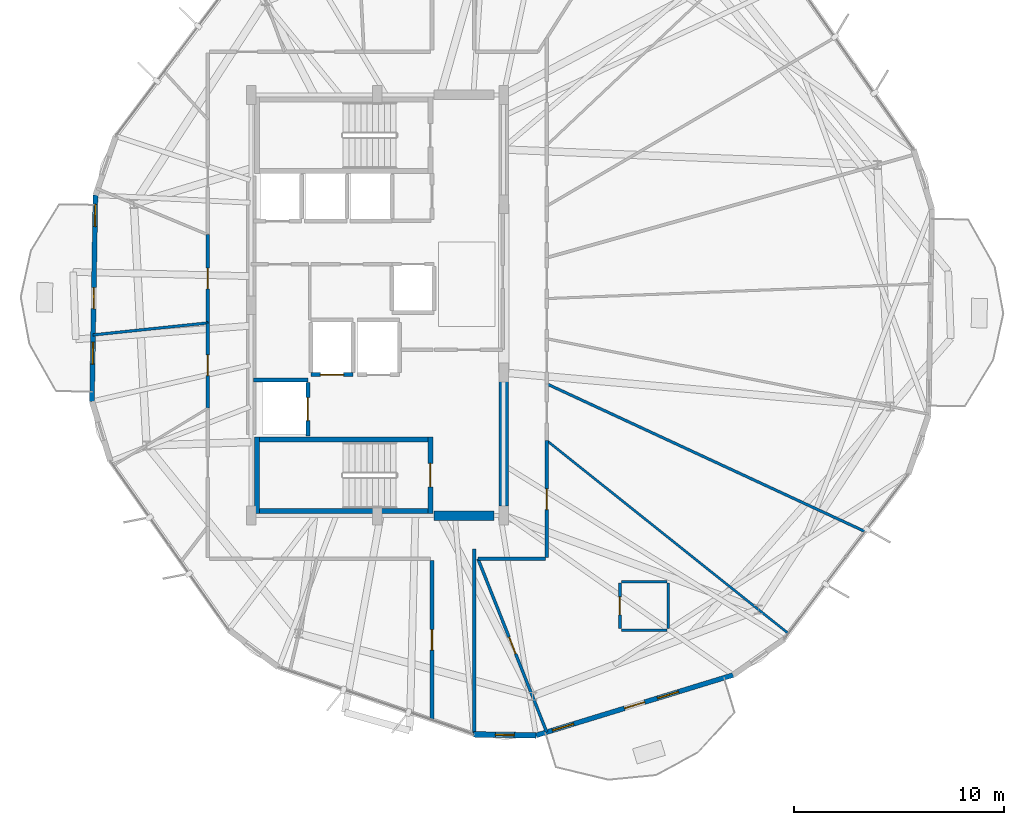
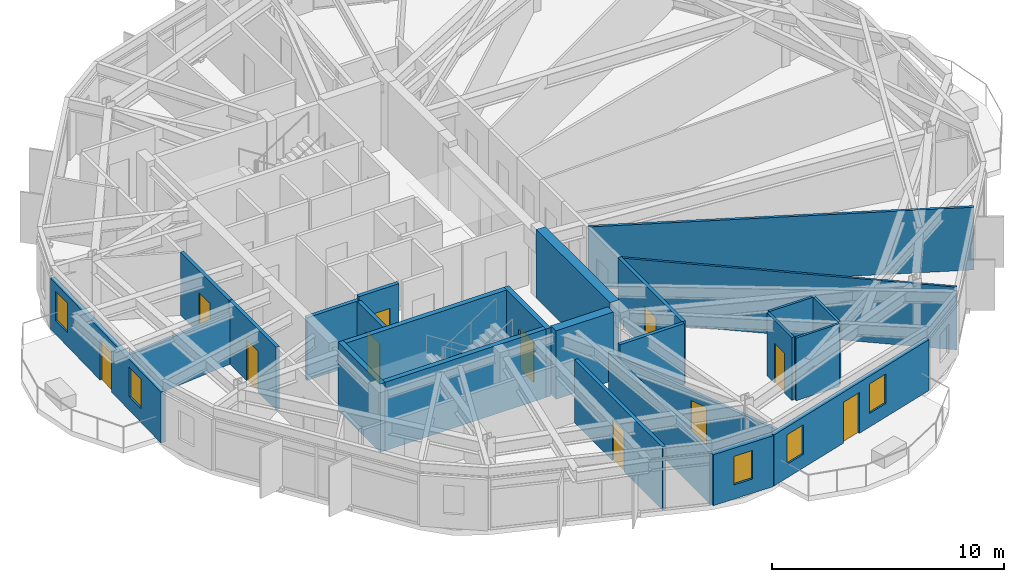
# One storey, part 23 of 29: 26 walls, 11 doors, 5 windows, 16 openings.
"""IFC4 building model written with IfcOpenShell, lengths in metres."""

from ifc_helpers import new_model, si_unit, direction, frame, frame_2d, origin, place, context, subcontext, project, spatial, rectangle, extrude, material, layer, layer_set, type_object, element, fill, save


model = new_model("IFC4")

# Units and contexts
model_context = context("Model", 3, precision=1e-05, world=origin(), true_north=direction((0.0, 1.0)))
body_context = subcontext(model_context, "Body", "Model", "MODEL_VIEW")
ifc_project = project(units=[si_unit("LENGTHUNIT", "METRE"), si_unit("AREAUNIT", "SQUARE_METRE"), si_unit("VOLUMEUNIT", "CUBIC_METRE"), si_unit("PLANEANGLEUNIT", "RADIAN"), si_unit("MASSUNIT", "GRAM", prefix="KILO")], contexts=[model_context])

# Site, building, storey
site_placement = place(None, origin())
site = spatial("IfcSite", under=ifc_project, at=site_placement, CompositionType="ELEMENT")
building_placement = place(site_placement, origin())
building = spatial("IfcBuilding", under=site, at=building_placement, Name="Soratama Intermodal Tower", CompositionType="ELEMENT")
storey_placement = place(building_placement, frame((0.0, 0.0, 226.60009765625)))
storey = spatial("IfcBuildingStorey", under=building, at=storey_placement, Name="L57", CompositionType="ELEMENT", Elevation=226.60009765625)

# Wall, openings, door, windows
ifc_material_1 = material(Name="Concrete f'c 42 MPa", Category="concrete")
ifc_layer_1 = layer(ifc_material_1, 0.22998046875)
ifc_layer_set_1 = layer_set([ifc_layer_1], Name="Concrete f'c 42 MPa")
wall_type_1 = type_object("IfcWallType", Name="EW-BAL-230", PredefinedType="SOLIDWALL", material=ifc_layer_set_1)
wall_1_placement = place(storey_placement, frame((25.207763671875, 30.231201171875, 0.0), z_axis=(0.0, 0.0, 1.0), x_axis=(-0.016744898116, -0.999859794365, 0.0)))
wall_1 = element("IfcWall", 1, at=wall_1_placement, inside=storey, type_object=wall_type_1, Name="L57 Terrace Wall F04", PredefinedType="SOLIDWALL", context=body_context, shape_type="SweptSolid", body=[
    extrude(rectangle(XDim=9.7978515625, YDim=0.22998046875, at=frame_2d((4.89892578125, 0.0))), origin(), (0.0, 0.0, 1.0), 2.678955078125),
])
opening_1_placement = place(wall_1_placement, frame((4.398681640625, 0.0, 0.0)))
opening_1 = element("IfcOpeningElement", 2, at=opening_1_placement, cuts=wall_1, Name="Opening ED-2", PredefinedType="OPENING", context=body_context, shape_type="SweptSolid", body=[
    extrude(rectangle(XDim=1.0, YDim=2.14990234375, at=frame_2d((0.5, 1.074951171875))), frame((0.0, 0.125, 0.0), z_axis=(0.0, -1.0, 0.0), x_axis=(1.0, 0.0, 0.0)), (0.0, 0.0, 1.0), 0.25),
])
opening_2_placement = place(wall_1_placement, frame((0.43994140625, 0.0, 0.719970703125)))
opening_2 = element("IfcOpeningElement", 3, at=opening_2_placement, cuts=wall_1, Name="Opening WN-5", PredefinedType="OPENING", context=body_context, shape_type="SweptSolid", body=[
    extrude(rectangle(XDim=1.050048828125, YDim=1.550048828125, at=frame_2d((0.52490234375, 0.77490234375))), frame((0.0, 0.125, 0.0), z_axis=(0.0, -1.0, 0.0), x_axis=(1.0, 0.0, 0.0)), (0.0, 0.0, 1.0), 0.25),
])
opening_3_placement = place(wall_1_placement, frame((6.984130859375, 0.0, 0.719970703125)))
opening_3 = element("IfcOpeningElement", 4, at=opening_3_placement, cuts=wall_1, Name="Opening WN-5", PredefinedType="OPENING", context=body_context, shape_type="SweptSolid", body=[
    extrude(rectangle(XDim=1.050048828125, YDim=1.550048828125, at=frame_2d((0.52490234375, 0.77490234375))), frame((0.0, 0.125, 0.0), z_axis=(0.0, -1.0, 0.0), x_axis=(1.0, 0.0, 0.0)), (0.0, 0.0, 1.0), 0.25),
])
ifc_material_2 = material(Name="Double-glazed aluminium door", Category="aluminium")
door_type_1 = type_object("IfcDoorType", Name="DR-BAL-1000", OperationType="NOTDEFINED", PredefinedType="DOOR", material=ifc_material_2)
door_1_placement = place(opening_1_placement, origin())
door_1 = element("IfcDoor", 5, at=door_1_placement, inside=storey, type_object=door_type_1, Name="L57 Balcony Door F04", OperationType="SINGLE_SWING_RIGHT", OverallHeight=2.14990234375, OverallWidth=1.0, PredefinedType="DOOR", context=body_context, shape_type="SweptSolid", body=[
    extrude(rectangle(XDim=1.0, YDim=2.14990234375, at=frame_2d((0.5, 1.074951171875))), frame((0.0, 0.02490234375, 0.0), z_axis=(0.0, -1.0, 0.0), x_axis=(1.0, 0.0, 0.0)), (0.0, 0.0, 1.0), 0.050048828125),
])
fill(opening_1, door_1)
ifc_material_3 = material(Name="Double-glazed aluminium window", Category="aluminium")
window_type_1 = type_object("IfcWindowType", Name="WN-FAC-1050", PartitioningType="SINGLE_PANEL", PredefinedType="WINDOW", material=ifc_material_3)
window_1_placement = place(opening_2_placement, origin())
window_1 = element("IfcWindow", 6, at=window_1_placement, inside=storey, type_object=window_type_1, Name="L57 Window A F04", OverallHeight=1.550048828125, OverallWidth=1.050048828125, PartitioningType="SINGLE_PANEL", PredefinedType="WINDOW", context=body_context, shape_type="SweptSolid", body=[
    extrude(rectangle(XDim=1.050048828125, YDim=1.550048828125, at=frame_2d((0.52490234375, 0.77490234375))), frame((0.0, 0.030029296875, 0.0), z_axis=(0.0, -1.0, 0.0), x_axis=(1.0, 0.0, 0.0)), (0.0, 0.0, 1.0), 0.06005859375),
])
fill(opening_2, window_1)
window_2_placement = place(opening_3_placement, origin())
window_2 = element("IfcWindow", 7, at=window_2_placement, inside=storey, type_object=window_type_1, Name="L57 Window B F04", OverallHeight=1.550048828125, OverallWidth=1.050048828125, PartitioningType="SINGLE_PANEL", PredefinedType="WINDOW", context=body_context, shape_type="SweptSolid", body=[
    extrude(rectangle(XDim=1.050048828125, YDim=1.550048828125, at=frame_2d((0.52490234375, 0.77490234375))), frame((0.0, 0.030029296875, 0.0), z_axis=(0.0, -1.0, 0.0), x_axis=(1.0, 0.0, 0.0)), (0.0, 0.0, 1.0), 0.06005859375),
])
fill(opening_3, window_2)

wall_2_placement = place(storey_placement, frame((46.14111328125, 4.56005859375, 0.0), z_axis=(0.0, 0.0, 1.0), x_axis=(0.956099551419, 0.293042058033, 0.0)))
wall_2 = element("IfcWall", 8, at=wall_2_placement, inside=storey, type_object=wall_type_1, Name="L57 Terrace Wall F07", PredefinedType="SOLIDWALL", context=body_context, shape_type="SweptSolid", body=[
    extrude(rectangle(XDim=9.797607421875, YDim=0.22998046875, at=frame_2d((4.89892578125, 0.0))), origin(), (0.0, 0.0, 1.0), 2.678955078125),
])
opening_4_placement = place(wall_2_placement, frame((4.398681640625, 0.0, 0.0)))
opening_4 = element("IfcOpeningElement", 9, at=opening_4_placement, cuts=wall_2, Name="Opening ED-2", PredefinedType="OPENING", context=body_context, shape_type="SweptSolid", body=[
    extrude(rectangle(XDim=1.0, YDim=2.14990234375, at=frame_2d((0.5, 1.074951171875))), frame((0.0, 0.125, 0.0), z_axis=(0.0, -1.0, 0.0), x_axis=(1.0, 0.0, 0.0)), (0.0, 0.0, 1.0), 0.25),
])
opening_5_placement = place(wall_2_placement, frame((0.818115234375, 0.0, 0.719970703125)))
opening_5 = element("IfcOpeningElement", 10, at=opening_5_placement, cuts=wall_2, Name="Opening WN-5", PredefinedType="OPENING", context=body_context, shape_type="SweptSolid", body=[
    extrude(rectangle(XDim=1.050048828125, YDim=1.550048828125, at=frame_2d((0.52490234375, 0.77490234375))), frame((0.0, 0.125, 0.0), z_axis=(0.0, -1.0, 0.0), x_axis=(1.0, 0.0, 0.0)), (0.0, 0.0, 1.0), 0.25),
])
opening_6_placement = place(wall_2_placement, frame((6.038818359375, 0.0, 0.719970703125)))
opening_6 = element("IfcOpeningElement", 11, at=opening_6_placement, cuts=wall_2, Name="Opening WN-5", PredefinedType="OPENING", context=body_context, shape_type="SweptSolid", body=[
    extrude(rectangle(XDim=1.050048828125, YDim=1.550048828125, at=frame_2d((0.52490234375, 0.77490234375))), frame((0.0, 0.125, 0.0), z_axis=(0.0, -1.0, 0.0), x_axis=(1.0, 0.0, 0.0)), (0.0, 0.0, 1.0), 0.25),
])
door_2_placement = place(opening_4_placement, origin())
door_2 = element("IfcDoor", 12, at=door_2_placement, inside=storey, type_object=door_type_1, Name="L57 Balcony Door F07", OperationType="SINGLE_SWING_LEFT", OverallHeight=2.14990234375, OverallWidth=1.0, PredefinedType="DOOR", context=body_context, shape_type="SweptSolid", body=[
    extrude(rectangle(XDim=1.0, YDim=2.14990234375, at=frame_2d((0.5, 1.074951171875))), frame((0.0, 0.02490234375, 0.0), z_axis=(0.0, -1.0, 0.0), x_axis=(1.0, 0.0, 0.0)), (0.0, 0.0, 1.0), 0.050048828125),
])
fill(opening_4, door_2)
window_3_placement = place(opening_5_placement, origin())
window_3 = element("IfcWindow", 13, at=window_3_placement, inside=storey, type_object=window_type_1, Name="L57 Window A F07", OverallHeight=1.550048828125, OverallWidth=1.050048828125, PartitioningType="SINGLE_PANEL", PredefinedType="WINDOW", context=body_context, shape_type="SweptSolid", body=[
    extrude(rectangle(XDim=1.050048828125, YDim=1.550048828125, at=frame_2d((0.52490234375, 0.77490234375))), frame((0.0, 0.030029296875, 0.0), z_axis=(0.0, -1.0, 0.0), x_axis=(1.0, 0.0, 0.0)), (0.0, 0.0, 1.0), 0.06005859375),
])
fill(opening_5, window_3)
window_4_placement = place(opening_6_placement, origin())
window_4 = element("IfcWindow", 14, at=window_4_placement, inside=storey, type_object=window_type_1, Name="L57 Window B F07", OverallHeight=1.550048828125, OverallWidth=1.050048828125, PartitioningType="SINGLE_PANEL", PredefinedType="WINDOW", context=body_context, shape_type="SweptSolid", body=[
    extrude(rectangle(XDim=1.050048828125, YDim=1.550048828125, at=frame_2d((0.52490234375, 0.77490234375))), frame((0.0, 0.030029296875, 0.0), z_axis=(0.0, -1.0, 0.0), x_axis=(1.0, 0.0, 0.0)), (0.0, 0.0, 1.0), 0.06005859375),
])
fill(opening_6, window_4)

# Wall, opening, window
ifc_material_4 = material(Name="Concrete f'c 42 MPa", Category="concrete")
ifc_layer_2 = layer(ifc_material_4, 0.27001953125)
ifc_layer_set_2 = layer_set([ifc_layer_2], Name="Concrete f'c 42 MPa")
wall_type_2 = type_object("IfcWallType", Name="EW-CRN-270", PredefinedType="SOLIDWALL", material=ifc_layer_set_2)
wall_3_placement = place(storey_placement, frame((43.1748046875, 4.609619140625, 0.0), z_axis=(0.0, 0.0, 1.0), x_axis=(0.999860453609, -0.016705487414, 0.0)))
wall_3 = element("IfcWall", 15, at=wall_3_placement, inside=storey, type_object=wall_type_2, Name="L57 Corner Closure Wall 06", PredefinedType="SOLIDWALL", context=body_context, shape_type="SweptSolid", body=[
    extrude(rectangle(XDim=2.966796875, YDim=0.27001953125, at=frame_2d((1.4833984375, 0.0))), origin(), (0.0, 0.0, 1.0), 2.678955078125),
])
opening_7_placement = place(wall_3_placement, frame((1.033203125, 0.0, 0.75)))
opening_7 = element("IfcOpeningElement", 16, at=opening_7_placement, cuts=wall_3, Name="Opening WN-6", PredefinedType="OPENING", context=body_context, shape_type="SweptSolid", body=[
    extrude(rectangle(XDim=0.89990234375, YDim=1.5, at=frame_2d((0.449951171875, 0.75))), frame((0.0, 0.14501953125, 0.0), z_axis=(0.0, -1.0, 0.0), x_axis=(1.0, 0.0, 0.0)), (0.0, 0.0, 1.0), 0.2900390625),
])
ifc_material_5 = material(Name="Double-glazed aluminium window", Category="aluminium")
window_type_2 = type_object("IfcWindowType", Name="WN-FAC-900", PartitioningType="SINGLE_PANEL", PredefinedType="WINDOW", material=ifc_material_5)
window_5_placement = place(opening_7_placement, origin())
window_5 = element("IfcWindow", 17, at=window_5_placement, inside=storey, type_object=window_type_2, Name="L57 Corner Window 06", OverallHeight=1.5, OverallWidth=0.89990234375, PartitioningType="SINGLE_PANEL", PredefinedType="WINDOW", context=body_context, shape_type="SweptSolid", body=[
    extrude(rectangle(XDim=0.89990234375, YDim=1.5, at=frame_2d((0.449951171875, 0.75))), frame((0.0, 0.030029296875, 0.0), z_axis=(0.0, -1.0, 0.0), x_axis=(1.0, 0.0, 0.0)), (0.0, 0.0, 1.0), 0.06005859375),
])
fill(opening_7, window_5)

# Wall, opening, door
ifc_material_6 = material(Name="Fire-rated gypsum stud partition", Category="concrete")
ifc_layer_3 = layer(ifc_material_6, 0.169921875)
ifc_layer_set_3 = layer_set([ifc_layer_3], Name="Fire-rated gypsum stud partition")
wall_type_3 = type_object("IfcWallType", Name="IW-PART-R170", PredefinedType="PARTITIONING", material=ifc_layer_set_3)
wall_4_placement = place(storey_placement, frame((41.199951171875, 5.2880859375, 0.0), z_axis=(0.0, 0.0, 1.0), x_axis=(0.0, 1.0, 0.0)))
wall_4 = element("IfcWall", 18, at=wall_4_placement, inside=storey, type_object=wall_type_3, Name="L57 Partition W-L57-TP011", PredefinedType="PARTITIONING", context=body_context, shape_type="SweptSolid", body=[
    extrude(rectangle(XDim=7.591796875, YDim=0.169921875, at=frame_2d((3.7958984375, 0.0))), origin(), (0.0, 0.0, 1.0), 3.2998046875),
])
opening_8_placement = place(wall_4_placement, frame((3.321044921875, 0.0, 0.0)))
opening_8 = element("IfcOpeningElement", 19, at=opening_8_placement, cuts=wall_4, Name="Opening ID-5", PredefinedType="OPENING", context=body_context, shape_type="SweptSolid", body=[
    extrude(rectangle(XDim=0.97998046875, YDim=2.14990234375, at=frame_2d((0.489990234375, 1.074951171875))), frame((0.0, 0.094970703125, 0.0), z_axis=(0.0, -1.0, 0.0), x_axis=(1.0, 0.0, 0.0)), (0.0, 0.0, 1.0), 0.18994140625),
])
ifc_material_7 = material(Name="Solid hardwood acoustic door", Category="wood")
door_type_2 = type_object("IfcDoorType", Name="DR-OFF-980", OperationType="NOTDEFINED", PredefinedType="DOOR", material=ifc_material_7)
door_3_placement = place(opening_8_placement, origin())
door_3 = element("IfcDoor", 20, at=door_3_placement, inside=storey, type_object=door_type_2, Name="L57 Door D-L57-TP002", OperationType="SINGLE_SWING_LEFT", OverallHeight=2.14990234375, OverallWidth=0.97998046875, PredefinedType="DOOR", context=body_context, shape_type="SweptSolid", body=[
    extrude(rectangle(XDim=0.97998046875, YDim=2.14990234375, at=frame_2d((0.489990234375, 1.074951171875))), frame((0.0, 0.02490234375, 0.0), z_axis=(0.0, -1.0, 0.0), x_axis=(1.0, 0.0, 0.0)), (0.0, 0.0, 1.0), 0.050048828125),
])
fill(opening_8, door_3)

wall_5_placement = place(storey_placement, frame((46.64990234375, 18.572998046875, 0.0), z_axis=(0.0, 0.0, 1.0), x_axis=(0.0, -1.0, 0.0)))
wall_5 = element("IfcWall", 21, at=wall_5_placement, inside=storey, type_object=wall_type_3, Name="L57 Partition W-L57-TP017", PredefinedType="PARTITIONING", context=body_context, shape_type="SweptSolid", body=[
    extrude(rectangle(XDim=5.552978515625, YDim=0.169921875, at=frame_2d((2.7763671875, 0.0))), origin(), (0.0, 0.0, 1.0), 3.2998046875),
])
opening_9_placement = place(wall_5_placement, frame((2.302001953125, 0.0, 0.0)))
opening_9 = element("IfcOpeningElement", 22, at=opening_9_placement, cuts=wall_5, Name="Opening ID-5", PredefinedType="OPENING", context=body_context, shape_type="SweptSolid", body=[
    extrude(rectangle(XDim=0.97998046875, YDim=2.14990234375, at=frame_2d((0.489990234375, 1.074951171875))), frame((0.0, 0.094970703125, 0.0), z_axis=(0.0, -1.0, 0.0), x_axis=(1.0, 0.0, 0.0)), (0.0, 0.0, 1.0), 0.18994140625),
])
door_4_placement = place(opening_9_placement, origin())
door_4 = element("IfcDoor", 23, at=door_4_placement, inside=storey, type_object=door_type_2, Name="L57 Door D-L57-TP006", OperationType="SINGLE_SWING_LEFT", OverallHeight=2.14990234375, OverallWidth=0.97998046875, PredefinedType="DOOR", context=body_context, shape_type="SweptSolid", body=[
    extrude(rectangle(XDim=0.97998046875, YDim=2.14990234375, at=frame_2d((0.489990234375, 1.074951171875))), frame((0.0, 0.02490234375, 0.0), z_axis=(0.0, -1.0, 0.0), x_axis=(1.0, 0.0, 0.0)), (0.0, 0.0, 1.0), 0.050048828125),
])
fill(opening_9, door_4)

wall_6_placement = place(storey_placement, frame((30.550048828125, 24.158935546875, 0.0), z_axis=(0.0, 0.0, 1.0), x_axis=(0.0, 1.0, 0.0)))
wall_6 = element("IfcWall", 24, at=wall_6_placement, inside=storey, type_object=wall_type_3, Name="L57 Partition W-L57-TP026", PredefinedType="PARTITIONING", context=body_context, shape_type="SweptSolid", body=[
    extrude(rectangle(XDim=4.192138671875, YDim=0.169921875, at=frame_2d((2.09619140625, 0.0))), origin(), (0.0, 0.0, 1.0), 3.2998046875),
])
opening_10_placement = place(wall_6_placement, frame((1.62109375, 0.0, 0.0)))
opening_10 = element("IfcOpeningElement", 25, at=opening_10_placement, cuts=wall_6, Name="Opening ID-5", PredefinedType="OPENING", context=body_context, shape_type="SweptSolid", body=[
    extrude(rectangle(XDim=0.97998046875, YDim=2.14990234375, at=frame_2d((0.489990234375, 1.074951171875))), frame((0.0, 0.094970703125, 0.0), z_axis=(0.0, -1.0, 0.0), x_axis=(1.0, 0.0, 0.0)), (0.0, 0.0, 1.0), 0.18994140625),
])
door_5_placement = place(opening_10_placement, origin())
door_5 = element("IfcDoor", 26, at=door_5_placement, inside=storey, type_object=door_type_2, Name="L57 Door D-L57-TP010", OperationType="SINGLE_SWING_LEFT", OverallHeight=2.14990234375, OverallWidth=0.97998046875, PredefinedType="DOOR", context=body_context, shape_type="SweptSolid", body=[
    extrude(rectangle(XDim=0.97998046875, YDim=2.14990234375, at=frame_2d((0.489990234375, 1.074951171875))), frame((0.0, 0.02490234375, 0.0), z_axis=(0.0, -1.0, 0.0), x_axis=(1.0, 0.0, 0.0)), (0.0, 0.0, 1.0), 0.050048828125),
])
fill(opening_10, door_5)

wall_7_placement = place(storey_placement, frame((30.550048828125, 20.10595703125, 0.0), z_axis=(0.0, 0.0, 1.0), x_axis=(0.0, 1.0, 0.0)))
wall_7 = element("IfcWall", 27, at=wall_7_placement, inside=storey, type_object=wall_type_3, Name="L57 Partition W-L57-TP027", PredefinedType="PARTITIONING", context=body_context, shape_type="SweptSolid", body=[
    extrude(rectangle(XDim=4.052978515625, YDim=0.169921875, at=frame_2d((2.0263671875, 0.0))), origin(), (0.0, 0.0, 1.0), 3.2998046875),
])
opening_11_placement = place(wall_7_placement, frame((1.551025390625, 0.0, 0.0)))
opening_11 = element("IfcOpeningElement", 28, at=opening_11_placement, cuts=wall_7, Name="Opening ID-5", PredefinedType="OPENING", context=body_context, shape_type="SweptSolid", body=[
    extrude(rectangle(XDim=0.97998046875, YDim=2.14990234375, at=frame_2d((0.489990234375, 1.074951171875))), frame((0.0, 0.094970703125, 0.0), z_axis=(0.0, -1.0, 0.0), x_axis=(1.0, 0.0, 0.0)), (0.0, 0.0, 1.0), 0.18994140625),
])
door_6_placement = place(opening_11_placement, origin())
door_6 = element("IfcDoor", 29, at=door_6_placement, inside=storey, type_object=door_type_2, Name="L57 Door D-L57-TP011", OperationType="SINGLE_SWING_RIGHT", OverallHeight=2.14990234375, OverallWidth=0.97998046875, PredefinedType="DOOR", context=body_context, shape_type="SweptSolid", body=[
    extrude(rectangle(XDim=0.97998046875, YDim=2.14990234375, at=frame_2d((0.489990234375, 1.074951171875))), frame((0.0, 0.02490234375, 0.0), z_axis=(0.0, -1.0, 0.0), x_axis=(1.0, 0.0, 0.0)), (0.0, 0.0, 1.0), 0.050048828125),
])
fill(opening_11, door_6)

# Walls
wall_8_placement = place(storey_placement, frame((46.580078125, 12.949951171875, 0.0), z_axis=(0.0, 0.0, 1.0), x_axis=(-1.0, 0.0, 0.0)))
element("IfcWall", 30, at=wall_8_placement, inside=storey, type_object=wall_type_3, Name="L57 Partition W-L57-TP032", PredefinedType="PARTITIONING", context=body_context, shape_type="SweptSolid", body=[
    extrude(rectangle(XDim=3.197021484375, YDim=0.169921875, at=frame_2d((1.5986328125, 0.0))), origin(), (0.0, 0.0, 1.0), 3.2998046875),
])
wall_9_placement = place(storey_placement, frame((43.199951171875, 13.410888671875, 0.0), z_axis=(0.0, 0.0, 1.0), x_axis=(0.0, -1.0, 0.0)))
element("IfcWall", 31, at=wall_9_placement, inside=storey, type_object=wall_type_3, Name="L57 Partition W-L57-TP054", PredefinedType="PARTITIONING", context=body_context, shape_type="SweptSolid", body=[
    extrude(rectangle(XDim=8.805908203125, YDim=0.169921875, at=frame_2d((4.40283203125, 0.0))), origin(), (0.0, 0.0, 1.0), 2.677978515625),
])
ifc_material_8 = material(Name="Fire-rated gypsum stud partition", Category="concrete")
ifc_layer_4 = layer(ifc_material_8, 0.110107421875)
ifc_layer_set_4 = layer_set([ifc_layer_4], Name="Fire-rated gypsum stud partition")
wall_type_4 = type_object("IfcWallType", Name="IW-PART-S110", PredefinedType="PARTITIONING", material=ifc_layer_set_4)
wall_10_placement = place(storey_placement, frame((46.64990234375, 18.572998046875, 0.0), z_axis=(0.0, 0.0, 1.0), x_axis=(0.781476039423, -0.623935252897, 0.0)))
element("IfcWall", 32, at=wall_10_placement, inside=storey, type_object=wall_type_4, Name="L57 Partition W-L57-TP006", PredefinedType="PARTITIONING", context=body_context, shape_type="SweptSolid", body=[
    extrude(rectangle(XDim=14.700439453125, YDim=0.110107421875, at=frame_2d((7.35009765625, 0.0))), origin(), (0.0, 0.0, 1.0), 3.2998046875),
])
wall_11_placement = place(storey_placement, frame((50.199951171875, 9.56396484375, 0.0), z_axis=(0.0, 0.0, 1.0), x_axis=(1.0, 0.0, 0.0)))
element("IfcWall", 33, at=wall_11_placement, inside=storey, type_object=wall_type_4, Name="L57 Partition W-L57-TP046", PredefinedType="PARTITIONING", context=body_context, shape_type="SweptSolid", body=[
    extrude(rectangle(XDim=2.16015625, YDim=0.110107421875, at=frame_2d((1.080078125, 0.0))), origin(), (0.0, 0.0, 1.0), 3.2998046875),
])
ifc_material_9 = material(Name="Fire-rated gypsum stud partition", Category="concrete")
ifc_layer_5 = layer(ifc_material_9, 0.1201171875)
ifc_layer_set_5 = layer_set([ifc_layer_5], Name="Fire-rated gypsum stud partition")
wall_type_5 = type_object("IfcWallType", Name="IW-PART-S120", PredefinedType="PARTITIONING", material=ifc_layer_set_5)
wall_12_placement = place(storey_placement, frame((52.360107421875, 11.864013671875, 0.0), z_axis=(0.0, 0.0, 1.0), x_axis=(-1.0, 0.0, 0.0)))
element("IfcWall", 34, at=wall_12_placement, inside=storey, type_object=wall_type_5, Name="L57 Partition W-L57-TP045", PredefinedType="PARTITIONING", context=body_context, shape_type="SweptSolid", body=[
    extrude(rectangle(XDim=2.16015625, YDim=0.1201171875, at=frame_2d((1.080078125, 0.0))), origin(), (0.0, 0.0, 1.0), 3.2998046875),
])
ifc_material_10 = material(Name="Fire-rated gypsum stud partition", Category="concrete")
ifc_layer_6 = layer(ifc_material_10, 0.1298828125)
ifc_layer_set_6 = layer_set([ifc_layer_6], Name="Fire-rated gypsum stud partition")
wall_type_6 = type_object("IfcWallType", Name="IW-PART-S130", PredefinedType="PARTITIONING", material=ifc_layer_set_6)
wall_13_placement = place(storey_placement, frame((46.64990234375, 21.264892578125, 0.0), z_axis=(0.0, 0.0, 1.0), x_axis=(0.907114550352, -0.420883823091, 0.0)))
element("IfcWall", 35, at=wall_13_placement, inside=storey, type_object=wall_type_6, Name="L57 Partition W-L57-TP004", PredefinedType="PARTITIONING", context=body_context, shape_type="SweptSolid", body=[
    extrude(rectangle(XDim=16.681640625, YDim=0.1298828125, at=frame_2d((8.3408203125, 0.0))), origin(), (0.0, 0.0, 1.0), 3.2998046875),
])
wall_14_placement = place(storey_placement, frame((30.550048828125, 24.158935546875, 0.0), z_axis=(0.0, 0.0, 1.0), x_axis=(-0.994586630197, -0.103910707022, 0.0)))
element("IfcWall", 36, at=wall_14_placement, inside=storey, type_object=wall_type_6, Name="L57 Partition W-L57-TP019", PredefinedType="PARTITIONING", context=body_context, shape_type="SweptSolid", body=[
    extrude(rectangle(XDim=5.48388671875, YDim=0.1298828125, at=frame_2d((2.741943359375, 0.0))), origin(), (0.0, 0.0, 1.0), 2.673828125),
])
wall_15_placement = place(storey_placement, frame((52.429931640625, 9.634033203125, 0.0), z_axis=(0.0, 0.0, 1.0), x_axis=(0.0, 1.0, 0.0)))
element("IfcWall", 37, at=wall_15_placement, inside=storey, type_object=wall_type_6, Name="L57 Partition W-L57-TP044", PredefinedType="PARTITIONING", context=body_context, shape_type="SweptSolid", body=[
    extrude(rectangle(XDim=2.159912109375, YDim=0.1298828125, at=frame_2d((1.080078125, 0.0))), origin(), (0.0, 0.0, 1.0), 3.2998046875),
])

# Wall, opening, door
ifc_material_11 = material(Name="Fire-rated gypsum stud partition", Category="concrete")
ifc_layer_7 = layer(ifc_material_11, 0.139892578125)
ifc_layer_set_7 = layer_set([ifc_layer_7], Name="Fire-rated gypsum stud partition")
wall_type_7 = type_object("IfcWallType", Name="IW-PART-S140", PredefinedType="PARTITIONING", material=ifc_layer_set_7)
wall_16_placement = place(storey_placement, frame((43.383056640625, 12.949951171875, 0.0), z_axis=(0.0, 0.0, 1.0), x_axis=(0.368885203629, -0.929474962838, 0.0)))
wall_16 = element("IfcWall", 38, at=wall_16_placement, inside=storey, type_object=wall_type_7, Name="L57 Partition W-L57-TP008", PredefinedType="PARTITIONING", context=body_context, shape_type="SweptSolid", body=[
    extrude(rectangle(XDim=8.858642578125, YDim=0.139892578125, at=frame_2d((4.42919921875, 0.0))), origin(), (0.0, 0.0, 1.0), 2.594970703125),
])
opening_12_placement = place(wall_16_placement, frame((4.00390625, 0.0, 0.0)))
opening_12 = element("IfcOpeningElement", 39, at=opening_12_placement, cuts=wall_16, Name="Opening ID-4", PredefinedType="OPENING", context=body_context, shape_type="SweptSolid", body=[
    extrude(rectangle(XDim=0.85009765625, YDim=2.10009765625, at=frame_2d((0.425048828125, 1.050048828125))), frame((0.0, 0.079833984375, 0.0), z_axis=(0.0, -1.0, 0.0), x_axis=(1.0, 0.0, 0.0)), (0.0, 0.0, 1.0), 0.159912109375),
])
ifc_material_12 = material(Name="Solid hardwood acoustic door", Category="wood")
door_type_3 = type_object("IfcDoorType", Name="DR-BATH-850", OperationType="NOTDEFINED", PredefinedType="DOOR", material=ifc_material_12)
door_7_placement = place(opening_12_placement, origin())
door_7 = element("IfcDoor", 40, at=door_7_placement, inside=storey, type_object=door_type_3, Name="L57 Door D-L57-TP025", OperationType="SINGLE_SWING_LEFT", OverallHeight=2.10009765625, OverallWidth=0.85009765625, PredefinedType="DOOR", context=body_context, shape_type="SweptSolid", body=[
    extrude(rectangle(XDim=0.85009765625, YDim=2.10009765625, at=frame_2d((0.425048828125, 1.050048828125))), frame((0.0, 0.02490234375, 0.0), z_axis=(0.0, -1.0, 0.0), x_axis=(1.0, 0.0, 0.0)), (0.0, 0.0, 1.0), 0.050048828125),
])
fill(opening_12, door_7)

wall_17_placement = place(storey_placement, frame((50.1298828125, 11.7939453125, 0.0), z_axis=(0.0, 0.0, 1.0), x_axis=(0.0, -1.0, 0.0)))
wall_17 = element("IfcWall", 41, at=wall_17_placement, inside=storey, type_object=wall_type_7, Name="L57 Partition W-L57-TP043", PredefinedType="PARTITIONING", context=body_context, shape_type="SweptSolid", body=[
    extrude(rectangle(XDim=2.159912109375, YDim=0.139892578125, at=frame_2d((1.080078125, 0.0))), origin(), (0.0, 0.0, 1.0), 3.2998046875),
])
opening_13_placement = place(wall_17_placement, frame((0.655029296875, 0.0, 0.0)))
opening_13 = element("IfcOpeningElement", 42, at=opening_13_placement, cuts=wall_17, Name="Opening ID-4", PredefinedType="OPENING", context=body_context, shape_type="SweptSolid", body=[
    extrude(rectangle(XDim=0.85009765625, YDim=2.10009765625, at=frame_2d((0.425048828125, 1.050048828125))), frame((0.0, 0.079833984375, 0.0), z_axis=(0.0, -1.0, 0.0), x_axis=(1.0, 0.0, 0.0)), (0.0, 0.0, 1.0), 0.159912109375),
])
door_8_placement = place(opening_13_placement, origin())
door_8 = element("IfcDoor", 43, at=door_8_placement, inside=storey, type_object=door_type_3, Name="L57 Door D-L57-TP021", OperationType="SINGLE_SWING_RIGHT", OverallHeight=2.10009765625, OverallWidth=0.85009765625, PredefinedType="DOOR", context=body_context, shape_type="SweptSolid", body=[
    extrude(rectangle(XDim=0.85009765625, YDim=2.10009765625, at=frame_2d((0.425048828125, 1.050048828125))), frame((0.0, 0.02490234375, 0.0), z_axis=(0.0, -1.0, 0.0), x_axis=(1.0, 0.0, 0.0)), (0.0, 0.0, 1.0), 0.050048828125),
])
fill(opening_13, door_8)

ifc_material_13 = material(Name="Concrete f'c 42 MPa", Category="concrete")
ifc_layer_8 = layer(ifc_material_13, 0.18505859375)
ifc_layer_set_8 = layer_set([ifc_layer_8], Name="Concrete f'c 42 MPa")
wall_type_8 = type_object("IfcWallType", Name="IW-SHAFT-185", PredefinedType="SOLIDWALL", material=ifc_layer_set_8)
wall_18_placement = place(storey_placement, frame((35.449951171875, 21.699951171875, 0.0), z_axis=(0.0, 0.0, 1.0), x_axis=(1.0, 0.0, 0.0)))
wall_18 = element("IfcWall", 44, at=wall_18_placement, inside=storey, type_object=wall_type_8, Name="L57 FFL-1 Hoistway Wall S", PredefinedType="SOLIDWALL", context=body_context, shape_type="SweptSolid", body=[
    extrude(rectangle(XDim=2.0, YDim=0.18505859375, at=frame_2d((1.0, 0.0))), origin(), (0.0, 0.0, 1.0), 3.2998046875),
])
opening_14_placement = place(wall_18_placement, frame((0.449951171875, 0.0, 0.0)))
opening_14 = element("IfcOpeningElement", 45, at=opening_14_placement, cuts=wall_18, Name="Opening LD-1", PredefinedType="OPENING", context=body_context, shape_type="SweptSolid", body=[
    extrude(rectangle(XDim=1.10009765625, YDim=2.14990234375, at=frame_2d((0.550048828125, 1.074951171875))), frame((0.0, 0.1025390625, 0.0), z_axis=(0.0, -1.0, 0.0), x_axis=(1.0, 0.0, 0.0)), (0.0, 0.0, 1.0), 0.205078125),
])
ifc_material_14 = material(Name="Steel fire door", Category="steel")
door_type_4 = type_object("IfcDoorType", Name="DR-LIFT-SLIDE", OperationType="NOTDEFINED", PredefinedType="DOOR", material=ifc_material_14)
door_9_placement = place(opening_14_placement, origin())
door_9 = element("IfcDoor", 46, at=door_9_placement, inside=storey, type_object=door_type_4, Name="L57 FFL-1 Sliding Landing Door", OperationType="SLIDING_TO_LEFT", OverallHeight=2.14990234375, OverallWidth=1.10009765625, PredefinedType="DOOR", context=body_context, shape_type="SweptSolid", body=[
    extrude(rectangle(XDim=1.10009765625, YDim=2.14990234375, at=frame_2d((0.550048828125, 1.074951171875))), frame((0.0, 0.02490234375, 0.0), z_axis=(0.0, -1.0, 0.0), x_axis=(1.0, 0.0, 0.0)), (0.0, 0.0, 1.0), 0.050048828125),
])
fill(opening_14, door_9)

# Wall
wall_19_placement = place(storey_placement, frame((32.719970703125, 21.449951171875, 0.0), z_axis=(0.0, 0.0, 1.0), x_axis=(1.0, 0.0, 0.0)))
element("IfcWall", 47, at=wall_19_placement, inside=storey, type_object=wall_type_8, Name="L57 SVL-1 Hoistway Wall N", PredefinedType="SOLIDWALL", context=body_context, shape_type="SweptSolid", body=[
    extrude(rectangle(XDim=2.580078125, YDim=0.18505859375, at=frame_2d((1.2900390625, 0.0))), origin(), (0.0, 0.0, 1.0), 3.2998046875),
])

# Wall, opening, door
wall_20_placement = place(storey_placement, frame((35.300048828125, 18.7900390625, 0.0), z_axis=(0.0, 0.0, 1.0), x_axis=(0.0, 1.0, 0.0)))
wall_20 = element("IfcWall", 48, at=wall_20_placement, inside=storey, type_object=wall_type_8, Name="L57 SVL-1 Hoistway Wall E", PredefinedType="SOLIDWALL", context=body_context, shape_type="SweptSolid", body=[
    extrude(rectangle(XDim=2.550048828125, YDim=0.18505859375, at=frame_2d((1.27490234375, 0.0))), origin(), (0.0, 0.0, 1.0), 3.2998046875),
])
opening_15_placement = place(wall_20_placement, frame((0.72509765625, 0.0, 0.0)))
opening_15 = element("IfcOpeningElement", 49, at=opening_15_placement, cuts=wall_20, Name="Opening LD-1", PredefinedType="OPENING", context=body_context, shape_type="SweptSolid", body=[
    extrude(rectangle(XDim=1.10009765625, YDim=2.14990234375, at=frame_2d((0.550048828125, 1.074951171875))), frame((0.0, 0.1025390625, 0.0), z_axis=(0.0, -1.0, 0.0), x_axis=(1.0, 0.0, 0.0)), (0.0, 0.0, 1.0), 0.205078125),
])
door_10_placement = place(opening_15_placement, origin())
door_10 = element("IfcDoor", 50, at=door_10_placement, inside=storey, type_object=door_type_4, Name="L57 SVL-1 Sliding Landing Door", OperationType="SLIDING_TO_LEFT", OverallHeight=2.14990234375, OverallWidth=1.10009765625, PredefinedType="DOOR", context=body_context, shape_type="SweptSolid", body=[
    extrude(rectangle(XDim=1.10009765625, YDim=2.14990234375, at=frame_2d((0.550048828125, 1.074951171875))), frame((0.0, 0.02490234375, 0.0), z_axis=(0.0, -1.0, 0.0), x_axis=(1.0, 0.0, 0.0)), (0.0, 0.0, 1.0), 0.050048828125),
])
fill(opening_15, door_10)

# Walls
ifc_material_15 = material(Name="Concrete f'c 56 MPa", Category="concrete")
ifc_layer_9 = layer(ifc_material_15, 0.449951171875)
ifc_layer_set_9 = layer_set([ifc_layer_9], Name="Concrete f'c 56 MPa")
wall_type_9 = type_object("IfcWallType", Name="SW-CORE-450", PredefinedType="SHEAR", material=ifc_layer_set_9)
wall_21_placement = place(storey_placement, frame((41.300048828125, 15.0, 0.0), z_axis=(0.0, 0.0, 1.0), x_axis=(1.0, 0.0, 0.0)))
element("IfcWall", 51, at=wall_21_placement, inside=storey, type_object=wall_type_9, Name="L57 Core Shear Wall CW-SE", PredefinedType="SHEAR", context=body_context, shape_type="SweptSolid", body=[
    extrude(rectangle(XDim=2.849853515625, YDim=0.449951171875, at=frame_2d((1.4248046875, 0.0))), origin(), (0.0, 0.0, 1.0), 3.599853515625),
])
wall_22_placement = place(storey_placement, frame((44.60009765625, 15.449951171875, 0.0), z_axis=(0.0, 0.0, 1.0), x_axis=(0.0, 1.0, 0.0)))
element("IfcWall", 52, at=wall_22_placement, inside=storey, type_object=wall_type_9, Name="L57 Core Shear Wall CW-ES", PredefinedType="SHEAR", context=body_context, shape_type="SweptSolid", body=[
    extrude(rectangle(XDim=6.35009765625, YDim=0.449951171875, at=frame_2d((3.175048828125, 0.0))), origin(), (0.0, 0.0, 1.0), 3.599853515625),
])
ifc_material_16 = material(Name="Concrete f'c 56 MPa", Category="concrete")
ifc_layer_10 = layer(ifc_material_16, 0.239990234375)
ifc_layer_set_10 = layer_set([ifc_layer_10], Name="Concrete f'c 56 MPa")
wall_type_10 = type_object("IfcWallType", Name="SW-STAIR-240", PredefinedType="SHEAR", material=ifc_layer_set_10)
wall_23_placement = place(storey_placement, frame((32.8798828125, 15.110107421875, 0.0), z_axis=(0.0, 0.0, 1.0), x_axis=(0.0, 1.0, 0.0)))
element("IfcWall", 53, at=wall_23_placement, inside=storey, type_object=wall_type_10, Name="L57 ST-1 Shaft Shear Wall W", PredefinedType="SHEAR", context=body_context, shape_type="SweptSolid", body=[
    extrude(rectangle(XDim=3.6298828125, YDim=0.239990234375, at=frame_2d((1.81494140625, 0.0))), origin(), (0.0, 0.0, 1.0), 3.599853515625),
])

# Wall, opening, door
wall_24_placement = place(storey_placement, frame((41.1201171875, 15.110107421875, 0.0), z_axis=(0.0, 0.0, 1.0), x_axis=(0.0, 1.0, 0.0)))
wall_24 = element("IfcWall", 54, at=wall_24_placement, inside=storey, type_object=wall_type_10, Name="L57 ST-1 Shaft Shear Wall E", PredefinedType="SHEAR", context=body_context, shape_type="SweptSolid", body=[
    extrude(rectangle(XDim=3.6298828125, YDim=0.239990234375, at=frame_2d((1.81494140625, 0.0))), origin(), (0.0, 0.0, 1.0), 3.599853515625),
])
opening_16_placement = place(wall_24_placement, frame((1.2548828125, 0.0, 0.0)))
opening_16 = element("IfcOpeningElement", 55, at=opening_16_placement, cuts=wall_24, Name="Opening SD-1", PredefinedType="OPENING", context=body_context, shape_type="SweptSolid", body=[
    extrude(rectangle(XDim=1.1201171875, YDim=2.14990234375, at=frame_2d((0.56005859375, 1.074951171875))), frame((0.0, 0.1298828125, 0.0), z_axis=(0.0, -1.0, 0.0), x_axis=(1.0, 0.0, 0.0)), (0.0, 0.0, 1.0), 0.260009765625),
])
ifc_material_17 = material(Name="Steel fire door", Category="steel")
door_type_5 = type_object("IfcDoorType", Name="DR-STAIR-FD90", OperationType="NOTDEFINED", PredefinedType="DOOR", material=ifc_material_17)
door_11_placement = place(opening_16_placement, origin())
door_11 = element("IfcDoor", 56, at=door_11_placement, inside=storey, type_object=door_type_5, Name="L57 ST-1 Exit Stair Door", OperationType="SINGLE_SWING_LEFT", OverallHeight=2.14990234375, OverallWidth=1.1201171875, PredefinedType="DOOR", context=body_context, shape_type="SweptSolid", body=[
    extrude(rectangle(XDim=1.1201171875, YDim=2.14990234375, at=frame_2d((0.56005859375, 1.074951171875))), frame((0.0, 0.02490234375, 0.0), z_axis=(0.0, -1.0, 0.0), x_axis=(1.0, 0.0, 0.0)), (0.0, 0.0, 1.0), 0.050048828125),
])
fill(opening_16, door_11)

# Walls
for number, where, z_axis, x_axis, name in (
    (57, (33.0, 15.22998046875, 0.0), (0.0, 0.0, 1.0), (1.0, 0.0, 0.0), "L57 ST-1 Shaft Shear Wall S"),
    (58, (33.0, 18.6201171875, 0.0), (0.0, 0.0, 1.0), (1.0, 0.0, 0.0), "L57 ST-1 Shaft Shear Wall N"),
):
    element("IfcWall", number, at=place(storey_placement, frame(where, z_axis=z_axis, x_axis=x_axis)), inside=storey, type_object=wall_type_10, Name=name, PredefinedType="SHEAR", context=body_context, shape_type="SweptSolid", body=[
        extrude(rectangle(XDim=8.0, YDim=0.239990234375, at=frame_2d((4.0, 0.0))), origin(), (0.0, 0.0, 1.0), 3.599853515625),
    ])

save(model, "model.ifc")
